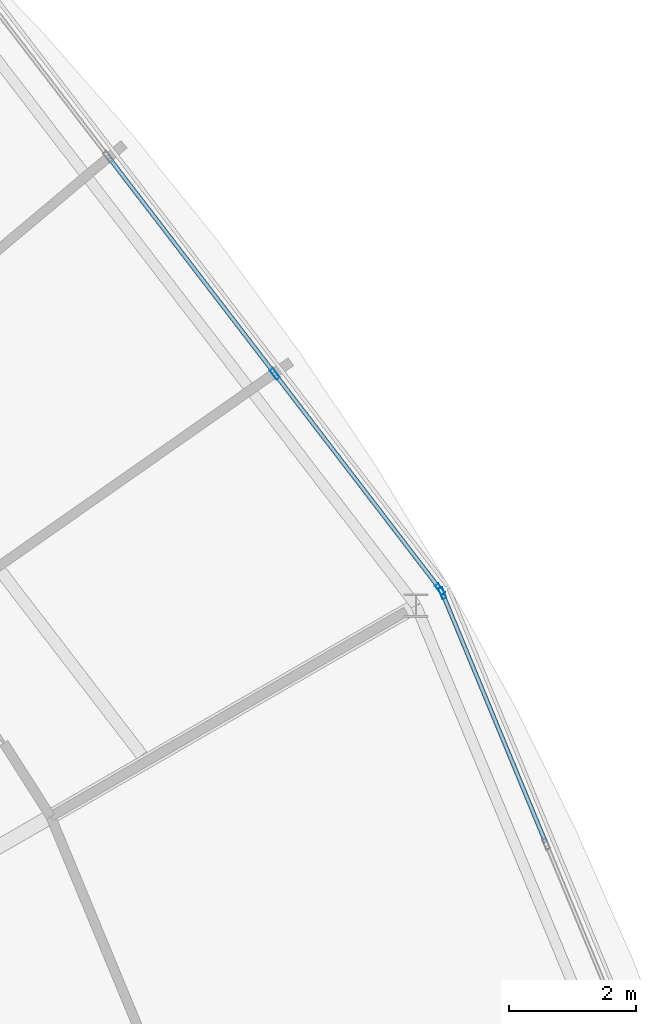
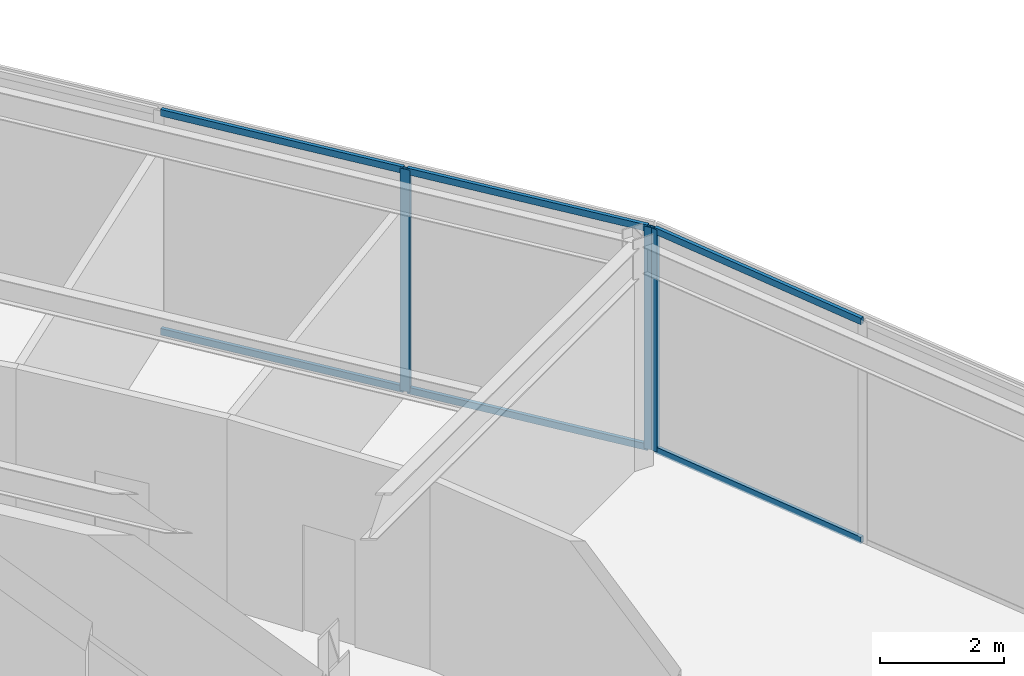
# One storey, part 81 of 157: 9 members, 2 elements without a shape of their own.
"""IFC4 building model written with IfcOpenShell, lengths in metres."""

from ifc_helpers import new_model, si_unit, direction, frame, origin, origin_2d, place, context, subcontext, project, spatial, hollow_rectangle, extrude, material, material_profile, profile_set, type_object, element, aggregate, save


model = new_model("IFC4")

# Units and contexts
model_context = context("Model", 3, precision=1e-05, world=origin(), true_north=direction((0.0, 1.0)))
body_context = subcontext(model_context, "Body", "Model", "MODEL_VIEW")
ifc_project = project(units=[si_unit("LENGTHUNIT", "METRE"), si_unit("AREAUNIT", "SQUARE_METRE"), si_unit("VOLUMEUNIT", "CUBIC_METRE"), si_unit("PLANEANGLEUNIT", "RADIAN"), si_unit("MASSUNIT", "GRAM", prefix="KILO")], contexts=[model_context])

# Site, building, storey
site_placement = place(None, origin())
site = spatial("IfcSite", under=ifc_project, at=site_placement, CompositionType="ELEMENT")
building_placement = place(site_placement, origin())
building = spatial("IfcBuilding", under=site, at=building_placement, Name="Almandine Court Research Institute", CompositionType="ELEMENT")
storey_placement = place(building_placement, frame((0.0, 0.0, 5.25)))
storey = spatial("IfcBuildingStorey", under=building, at=storey_placement, Name="L01", CompositionType="ELEMENT", Elevation=5.25)

# Curtain wall, member
ifc_material_1 = material(Name="Unitised Curtain Wall Framing and Solar Glazing", Category="glass")
curtain_wall_type = type_object("IfcCurtainWallType", Name="CW-CWJ-19", PredefinedType="USERDEFINED", material=ifc_material_1)
curtain_wall_1_placement = place(storey_placement, origin())
curtain_wall_1 = element("IfcCurtainWall", 1, at=curtain_wall_1_placement, inside=storey, type_object=curtain_wall_type, Name="L01 Stacked-Ring Drum Outer Solar Jali Screen 01", ObjectType="SOLAR JALI SCREEN", PredefinedType="USERDEFINED")
ifc_material_2 = material(Name="Anodised Aluminium AW-6063-T6", Category="aluminium")
ifc_material_profile_1 = material_profile(ifc_material_2, hollow_rectangle(XDim=0.06494140625, YDim=0.179931640625, WallThickness=0.00390625, at=origin_2d()), Name="ALU RHS 65x180x4")
ifc_profile_set_1 = profile_set([ifc_material_profile_1], Name="Anodised Aluminium AW-6063-T6")
member_type_1 = type_object("IfcMemberType", Name="CWMul-65x180", PredefinedType="MULLION", material=ifc_profile_set_1)
member_1_placement = place(storey_placement, frame((129.761474609375, 80.64697265625, 0.0), z_axis=(0.0, 0.0, 1.0), x_axis=(0.923888124321, 0.382662689242, 0.0)))
member_1 = element("IfcMember", 2, at=member_1_placement, type_object=member_type_1, Name="CWJ-19 mullion 1", PredefinedType="MULLION", context=body_context, shape_type="SweptSolid", body=[
    extrude(hollow_rectangle(XDim=0.06494140625, YDim=0.179931640625, WallThickness=0.00390625, at=origin_2d()), origin(), (0.0, 0.0, 1.0), 4.3701171875),
])

# Curtain wall, members
curtain_wall_2_placement = place(storey_placement, origin())
curtain_wall_2 = element("IfcCurtainWall", 3, at=curtain_wall_2_placement, inside=storey, type_object=curtain_wall_type, Name="L01 Stacked-Ring Drum Outer Solar Jali Screen 02", ObjectType="SOLAR JALI SCREEN", PredefinedType="USERDEFINED")
member_2_placement = place(storey_placement, frame((127.132080078125, 84.088623046875, 0.0), z_axis=(0.0, 0.0, 1.0), x_axis=(0.793382586046, 0.608723313303, 0.0)))
member_2 = element("IfcMember", 4, at=member_2_placement, type_object=member_type_1, Name="CWJ-19 mullion 3", PredefinedType="MULLION", context=body_context, shape_type="SweptSolid", body=[
    extrude(hollow_rectangle(XDim=0.06494140625, YDim=0.179931640625, WallThickness=0.00390625, at=origin_2d()), origin(), (0.0, 0.0, 1.0), 4.3701171875),
])
member_3_placement = place(storey_placement, frame((129.72509765625, 80.708740234375, 0.0), z_axis=(0.0, 0.0, 1.0), x_axis=(0.793382586046, 0.608723313303, 0.0)))
member_3 = element("IfcMember", 5, at=member_3_placement, type_object=member_type_1, Name="CWJ-19 mullion 4", PredefinedType="MULLION", context=body_context, shape_type="SweptSolid", body=[
    extrude(hollow_rectangle(XDim=0.06494140625, YDim=0.179931640625, WallThickness=0.00390625, at=origin_2d()), origin(), (0.0, 0.0, 1.0), 4.3701171875),
])

# Member
ifc_material_profile_2 = material_profile(ifc_material_2, hollow_rectangle(XDim=0.06494140625, YDim=0.1298828125, WallThickness=0.00390625, at=origin_2d()), Name="ALU RHS 65x130x4")
ifc_profile_set_2 = profile_set([ifc_material_profile_2], Name="Anodised Aluminium AW-6063-T6")
member_type_2 = type_object("IfcMemberType", Name="CWTrn-65x130", PredefinedType="NOTDEFINED", material=ifc_profile_set_2)
member_4_placement = place(storey_placement, frame((129.77392578125, 80.616943359375, 0.032470703125), z_axis=(0.382631051398, -0.923901227679, 0.0), x_axis=(0.923901227679, 0.382631051398, 0.0)))
member_4 = element("IfcMember", 6, at=member_4_placement, type_object=member_type_2, Name="CWJ-19 transom 1.1", ObjectType="TRANSOM", PredefinedType="USERDEFINED", context=body_context, shape_type="SweptSolid", body=[
    extrude(hollow_rectangle(XDim=0.06494140625, YDim=0.1298828125, WallThickness=0.00390625, at=origin_2d()), origin(), (0.0, 0.0, 1.0), 4.1953125),
])

member_5_placement = place(storey_placement, frame((129.77392578125, 80.616943359375, 4.33740234375), z_axis=(0.382631051398, -0.923901227679, 0.0), x_axis=(0.923901227679, 0.382631051398, 0.0)))
member_5 = element("IfcMember", 7, at=member_5_placement, type_object=member_type_2, Name="CWJ-19 transom 1.2", ObjectType="TRANSOM", PredefinedType="USERDEFINED", context=body_context, shape_type="SweptSolid", body=[
    extrude(hollow_rectangle(XDim=0.06494140625, YDim=0.1298828125, WallThickness=0.00390625, at=origin_2d()), origin(), (0.0, 0.0, 1.0), 4.1953125),
])

aggregate(curtain_wall_1, [member_1, member_4, member_5])

member_6_placement = place(storey_placement, frame((124.538818359375, 87.468505859375, 0.032470703125), z_axis=(0.608741867566, -0.793368349931, 0.0), x_axis=(0.793368349931, 0.608741867566, 0.0)))
member_6 = element("IfcMember", 8, at=member_6_placement, type_object=member_type_2, Name="CWJ-19 transom 2.1", ObjectType="TRANSOM", PredefinedType="USERDEFINED", context=body_context, shape_type="SweptSolid", body=[
    extrude(hollow_rectangle(XDim=0.06494140625, YDim=0.1298828125, WallThickness=0.00390625, at=origin_2d()), origin(), (0.0, 0.0, 1.0), 4.2275390625),
])

member_7_placement = place(storey_placement, frame((124.538818359375, 87.468505859375, 4.33740234375), z_axis=(0.608741867566, -0.793368349931, 0.0), x_axis=(0.793368349931, 0.608741867566, 0.0)))
member_7 = element("IfcMember", 9, at=member_7_placement, type_object=member_type_2, Name="CWJ-19 transom 2.2", ObjectType="TRANSOM", PredefinedType="USERDEFINED", context=body_context, shape_type="SweptSolid", body=[
    extrude(hollow_rectangle(XDim=0.06494140625, YDim=0.1298828125, WallThickness=0.00390625, at=origin_2d()), origin(), (0.0, 0.0, 1.0), 4.2275390625),
])

member_8_placement = place(storey_placement, frame((127.15185546875, 84.06298828125, 0.032470703125), z_axis=(0.608689308041, -0.793408675449, 0.0), x_axis=(0.793408675449, 0.608689308041, 0.0)))
member_8 = element("IfcMember", 10, at=member_8_placement, type_object=member_type_2, Name="CWJ-19 transom 3.1", ObjectType="TRANSOM", PredefinedType="USERDEFINED", context=body_context, shape_type="SweptSolid", body=[
    extrude(hollow_rectangle(XDim=0.06494140625, YDim=0.1298828125, WallThickness=0.00390625, at=origin_2d()), origin(), (0.0, 0.0, 1.0), 4.195068359375),
])

member_9_placement = place(storey_placement, frame((127.15185546875, 84.06298828125, 4.33740234375), z_axis=(0.608689308041, -0.793408675449, 0.0), x_axis=(0.793408675449, 0.608689308041, 0.0)))
member_9 = element("IfcMember", 11, at=member_9_placement, type_object=member_type_2, Name="CWJ-19 transom 3.2", ObjectType="TRANSOM", PredefinedType="USERDEFINED", context=body_context, shape_type="SweptSolid", body=[
    extrude(hollow_rectangle(XDim=0.06494140625, YDim=0.1298828125, WallThickness=0.00390625, at=origin_2d()), origin(), (0.0, 0.0, 1.0), 4.195068359375),
])

aggregate(curtain_wall_2, [member_2, member_3, member_6, member_7, member_8, member_9])

save(model, "model.ifc")
